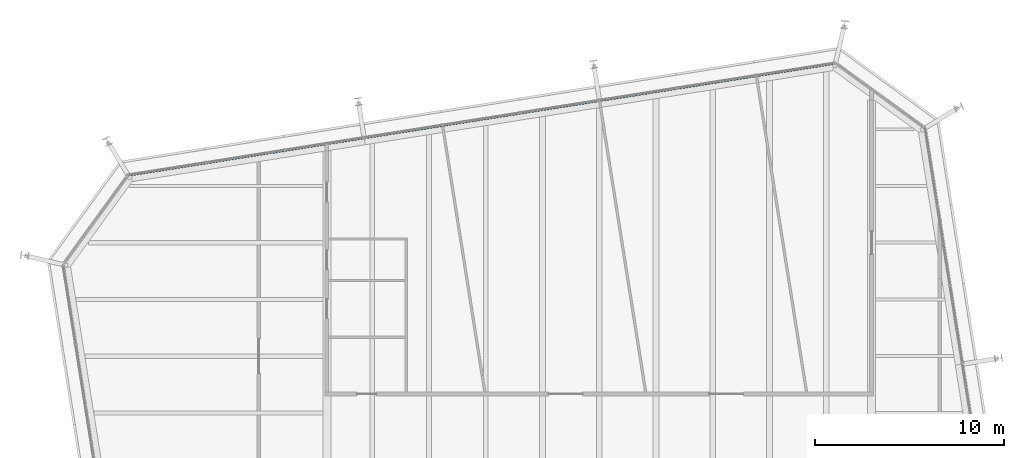
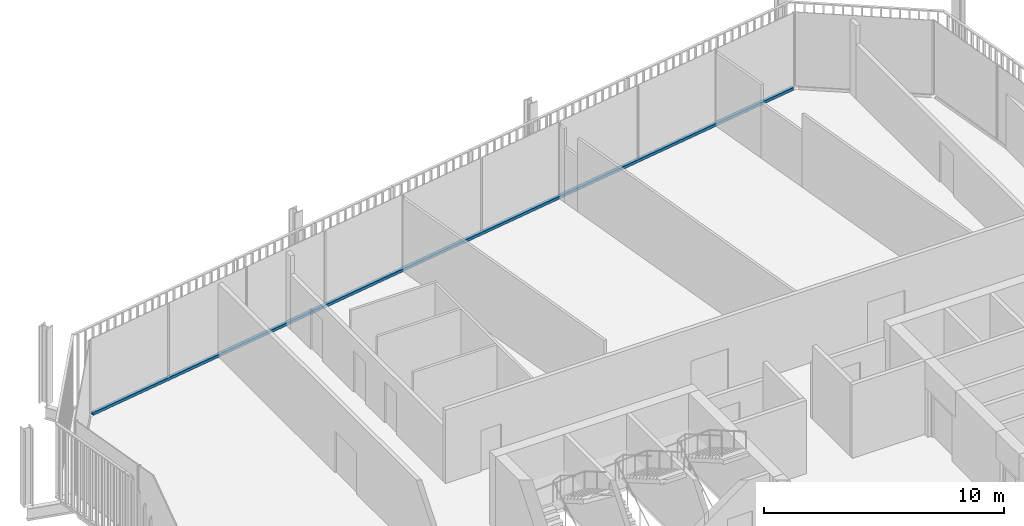
# One storey, part 13 of 20: 1 member, 1 element without a shape of its own.
"""IFC4 building model written with IfcOpenShell, lengths in metres."""

from ifc_helpers import new_model, si_unit, direction, frame, origin, origin_2d, place, context, subcontext, project, spatial, rectangle, extrude, material, layer, layer_set, material_profile, profile_set, type_object, element, aggregate, save


model = new_model("IFC4")

# Units and contexts
model_context = context("Model", 3, precision=1e-05, world=origin(), true_north=direction((0.0, 1.0)))
body_context = subcontext(model_context, "Body", "Model", "MODEL_VIEW")
ifc_project = project(units=[si_unit("LENGTHUNIT", "METRE"), si_unit("AREAUNIT", "SQUARE_METRE"), si_unit("VOLUMEUNIT", "CUBIC_METRE"), si_unit("PLANEANGLEUNIT", "RADIAN"), si_unit("MASSUNIT", "GRAM", prefix="KILO")], contexts=[model_context])

# Site, building, storey
site_placement = place(None, origin())
site = spatial("IfcSite", under=ifc_project, at=site_placement, CompositionType="ELEMENT")
building_placement = place(site_placement, origin())
building = spatial("IfcBuilding", under=site, at=building_placement, Name="Millrace Tower", CompositionType="ELEMENT")
storey_placement = place(building_placement, frame((0.0, 0.0, 216.39990234375)))
storey = spatial("IfcBuildingStorey", under=building, at=storey_placement, Name="L49", CompositionType="ELEMENT", Elevation=216.39990234375)

# Curtain wall, member
ifc_material_1 = material(Name="Aluminium and glass", Category="aluminium")
ifc_layer = layer(ifc_material_1, 0.14990234375)
ifc_layer_set = layer_set([ifc_layer], Name="Aluminium and glass")
curtain_wall_type = type_object("IfcCurtainWallType", Name="CW-1 office vision curtain wall", PredefinedType="NOTDEFINED", material=ifc_layer_set)
curtain_wall_placement = place(storey_placement, origin())
curtain_wall = element("IfcCurtainWall", 1, at=curtain_wall_placement, inside=storey, type_object=curtain_wall_type, Name="Curtain wall D-F06 L49", PredefinedType="NOTDEFINED")
ifc_material_2 = material(Name="Aluminium", Category="aluminium")
ifc_material_profile = material_profile(ifc_material_2, rectangle(XDim=0.14990234375, YDim=0.139892578125, at=origin_2d()))
ifc_profile_set = profile_set([ifc_material_profile], Name="Aluminium")
member_type = type_object("IfcMemberType", Name="CW-1 office vision curtain wall transom", PredefinedType="USERDEFINED", material=ifc_profile_set)
member_placement = place(storey_placement, frame((12.35888671875, 30.48193359375, 0.070068359375), z_axis=(-0.987687829698, -0.156437690685, 0.0), x_axis=(0.156437690685, -0.987687829698, 0.0)))
member = element("IfcMember", 2, at=member_placement, type_object=member_type, Name="CW1 transom D-F06.1", ObjectType="TRANSOM", PredefinedType="USERDEFINED", context=body_context, shape_type="SweptSolid", body=[
    extrude(rectangle(XDim=0.14990234375, YDim=0.139892578125, at=origin_2d()), origin(), (0.0, 0.0, 1.0), 37.60009765625),
])
aggregate(curtain_wall, [member])

save(model, "model.ifc")
